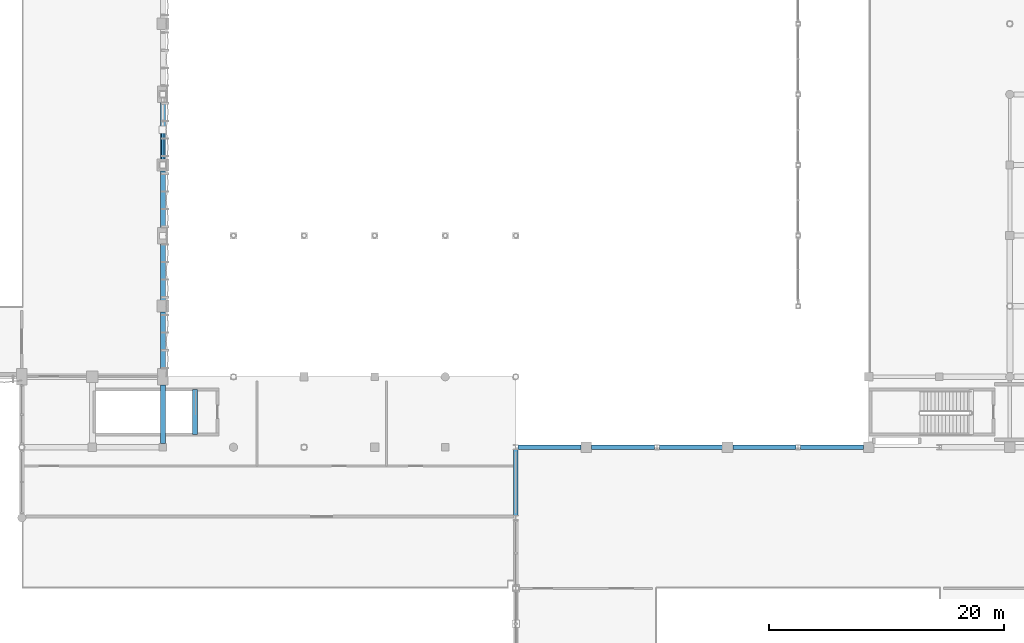
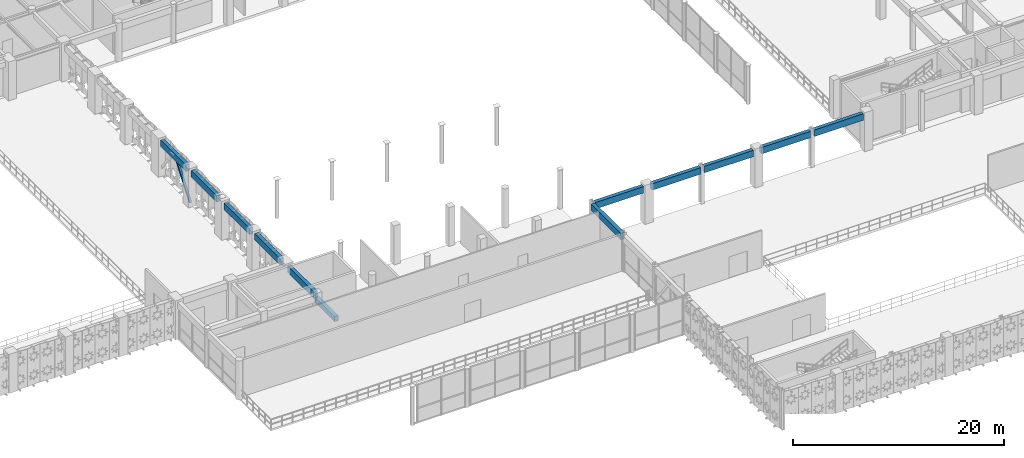
# One storey, part 22 of 116: 12 beams, 1 member.
"""IFC4 building model written with IfcOpenShell, lengths in metres."""

import ifcopenshell
import ifcopenshell.guid

model = None  # the IFC model being written
_history = None  # IfcOwnerHistory: only IFC2X3 demands one
_inside = {}  # id of a spatial element -> (the spatial element, [elements in it])
_under = {}  # id of a project, library or spatial element -> (it, [spatial elements below it])
_declared = {}  # id of a project -> (the project, [libraries it declares])
_typed = {}  # id of a type object -> (the type object, [elements of that type])
_made_of = {}  # id of a material, layer set ... -> (it, [elements and type objects made of it])


def new_model(schema):
    """Start an empty IFC model of exactly this schema.

    Asked for "IFC4X3", IfcOpenShell would pick the latest addendum, in which some entities
    have other attributes; the version numbers below select the first issue.
    IFC2X3 requires an IfcOwnerHistory on every rooted entity: one is made here for all.
    """
    global model, _history
    if schema == "IFC4X3":
        model = ifcopenshell.file(schema_version=(4, 3, 0, 0))
    else:
        model = ifcopenshell.file(schema=schema)
    _inside.clear()
    _under.clear()
    _declared.clear()
    _typed.clear()
    _made_of.clear()
    _history = None
    if model.schema == "IFC2X3":
        org = make("IfcOrganization", Name="unknown")
        user = make(
            "IfcPersonAndOrganization",
            ThePerson=make("IfcPerson", FamilyName="unknown"),
            TheOrganization=org,
        )
        app = make(
            "IfcApplication",
            ApplicationDeveloper=org,
            Version="unknown",
            ApplicationFullName="unknown",
            ApplicationIdentifier="unknown",
        )
        _history = make(
            "IfcOwnerHistory",
            OwningUser=user,
            OwningApplication=app,
            ChangeAction="ADDED",
            CreationDate=0,
        )
    return model


def make(cls, **values):
    """One entity of the class cls with the attributes given. An attribute that is None is left unset."""
    return model.create_entity(
        cls, **{name: value for name, value in values.items() if value is not None}
    )


def rooted(cls, **values):
    """An entity with a GlobalId (a new one), such as an element, a storey or a relation."""
    return make(cls, GlobalId=ifcopenshell.guid.new(), OwnerHistory=_history, **values)


def si_unit(unit_type, name, prefix=None):
    """IfcSIUnit, for example si_unit("LENGTHUNIT", "METRE", prefix="MILLI")."""
    return make("IfcSIUnit", UnitType=unit_type, Prefix=prefix, Name=name)


def assignment(units):
    """IfcUnitAssignment: the units of a project."""
    return None if units is None else make("IfcUnitAssignment", Units=units)


def point(xyz):
    """IfcCartesianPoint."""
    return None if xyz is None else make("IfcCartesianPoint", Coordinates=xyz)


def direction(xyz):
    """IfcDirection."""
    return None if xyz is None else make("IfcDirection", DirectionRatios=xyz)


def frame(location, z_axis=None, x_axis=None):
    """IfcAxis2Placement3D, a coordinate frame: its origin and axes. An axis left out is left unset."""
    return make(
        "IfcAxis2Placement3D",
        Location=point(location),
        Axis=direction(z_axis),
        RefDirection=direction(x_axis),
    )


def frame_2d(location, x_axis=None):
    """IfcAxis2Placement2D, a coordinate frame in the plane: its origin and x axis."""
    return make(
        "IfcAxis2Placement2D", Location=point(location), RefDirection=direction(x_axis)
    )


def origin():
    """The frame at (0, 0, 0) with its axes left unset."""
    return frame((0.0, 0.0, 0.0))


def origin_2d():
    """The frame at (0, 0) in the plane with its x axis left unset."""
    return frame_2d((0.0, 0.0))


def place(relative_to, where):
    """IfcLocalPlacement: puts the frame where relative to a parent placement (None: the world)."""
    return make(
        "IfcLocalPlacement", PlacementRelTo=relative_to, RelativePlacement=where
    )


def context(
    kind, dimensions, precision=None, world=None, true_north=None, identifier=None
):
    """IfcGeometricRepresentationContext, for example the 3D "Model" context."""
    return make(
        "IfcGeometricRepresentationContext",
        ContextIdentifier=identifier,
        ContextType=kind,
        CoordinateSpaceDimension=dimensions,
        Precision=precision,
        WorldCoordinateSystem=world,
        TrueNorth=true_north,
    )


def subcontext(parent, identifier, kind, view, scale=None):
    """IfcGeometricRepresentationSubContext, for example "Body" below "Model"."""
    return make(
        "IfcGeometricRepresentationSubContext",
        ContextIdentifier=identifier,
        ContextType=kind,
        ParentContext=parent,
        TargetScale=scale,
        TargetView=view,
    )


def project(units=None, contexts=None):
    """IfcProject with its units and contexts."""
    return rooted(
        "IfcProject",
        Name="project",
        RepresentationContexts=contexts,
        UnitsInContext=assignment(units),
    )


def spatial(cls, under=None, at=None, **own):
    """A site, building, storey or space (cls), placed at a placement, below another one or the project."""
    s = rooted(cls, ObjectPlacement=at, **own)
    if under is not None:
        _under.setdefault(under.id(), (under, []))[1].append(s)
    return s


def profile(cls, at=None, kind="AREA", **sizes):
    """A parametric profile (cls). Its sizes go by their IFC names, for example OverallWidth=200.0."""
    return make(cls, ProfileType=kind, Position=at, **sizes)


def rectangle(**sizes):
    """IfcRectangleProfileDef."""
    return profile("IfcRectangleProfileDef", **sizes)


def hollow_rectangle(**sizes):
    """IfcRectangleHollowProfileDef."""
    return profile("IfcRectangleHollowProfileDef", **sizes)


def extrude(swept, where, along, depth):
    """IfcExtrudedAreaSolid: the profile swept, set in the frame where, extruded along a direction by depth."""
    return make(
        "IfcExtrudedAreaSolid",
        SweptArea=swept,
        Position=where,
        ExtrudedDirection=direction(along),
        Depth=depth,
    )


def shape(context_of_items, identifier, shape_type, items):
    """IfcShapeRepresentation: the items that make up one representation, for example the "Body"."""
    return make(
        "IfcShapeRepresentation",
        ContextOfItems=context_of_items,
        RepresentationIdentifier=identifier,
        RepresentationType=shape_type,
        Items=items,
    )


def material(Name=None, Category=None):
    """IfcMaterial."""
    return make("IfcMaterial", Name=Name, Category=Category)


def material_profile(
    of_material, cross_section, Name=None, Category=None, Priority=None
):
    """IfcMaterialProfile: a cross section and its material."""
    return make(
        "IfcMaterialProfile",
        Name=Name,
        Material=of_material,
        Profile=cross_section,
        Priority=Priority,
        Category=Category,
    )


def profile_set(profiles, Name=None, composite=None):
    """IfcMaterialProfileSet."""
    return make(
        "IfcMaterialProfileSet",
        Name=Name,
        MaterialProfiles=profiles,
        CompositeProfile=composite,
    )


def made_of(thing, what):
    """Note that an element or type object is made of a material, layer set ...; save() writes the relation."""
    if what is not None:
        _made_of.setdefault(what.id(), (what, []))[1].append(thing)
    return thing


def type_object(cls, material=None, **own):
    """A type object (cls), such as IfcWallType, which elements share."""
    return made_of(rooted(cls, **own), material)


def element(
    cls,
    number,
    at=None,
    inside=None,
    cuts=None,
    type_object=None,
    material=None,
    context=None,
    identifier="Body",
    shape_type=None,
    held_by="IfcProductDefinitionShape",
    body=None,
    shapes=None,
    **own,
):
    """One element of the class cls, such as IfcWall. Its Tag is "e" and its number.

    at: its placement. inside: the storey or other place that contains it. cuts: it is an
    opening in that element (IfcRelVoidsElement). A single representation is given by context,
    identifier, shape_type and body (its items); several are given by shapes. held_by: the class
    of the entity that holds the representations. save() writes the other relations.
    """
    e = rooted(cls, Tag="e%d" % number, ObjectPlacement=at, **own)
    if body is not None:
        shapes = [shape(context, identifier, shape_type, body)]
    if shapes is not None:
        e.Representation = make(held_by, Representations=shapes)
    if inside is not None:
        _inside.setdefault(inside.id(), (inside, []))[1].append(e)
    if cuts is not None:
        rooted(
            "IfcRelVoidsElement", RelatingBuildingElement=cuts, RelatedOpeningElement=e
        )
    if type_object is not None:
        _typed.setdefault(type_object.id(), (type_object, []))[1].append(e)
    return made_of(e, material)


def aggregate(whole, parts):
    """IfcRelAggregates: a whole, such as a stair, and the parts it consists of."""
    return rooted("IfcRelAggregates", RelatingObject=whole, RelatedObjects=parts)


def save(model, path):
    """Write the relations noted so far, then the file.

    IfcRelAggregates (storeys below a building ...), IfcRelContainedInSpatialStructure (elements
    in a storey), IfcRelDefinesByType, IfcRelAssociatesMaterial and IfcRelDeclares: one each for
    every whole, place, type object, material and project.
    """
    for whole, parts in _under.values():
        aggregate(whole, parts)
    for where, things in _inside.values():
        rooted(
            "IfcRelContainedInSpatialStructure",
            RelatedElements=things,
            RelatingStructure=where,
        )
    for kind, things in _typed.values():
        rooted("IfcRelDefinesByType", RelatedObjects=things, RelatingType=kind)
    for what, things in _made_of.values():
        rooted("IfcRelAssociatesMaterial", RelatedObjects=things, RelatingMaterial=what)
    for by, libraries in _declared.values():
        rooted("IfcRelDeclares", RelatingContext=by, RelatedDefinitions=libraries)
    model.write(path)


model = new_model("IFC4")

# Units and contexts
model_context = context("Model", 3, precision=1e-05, world=origin(), true_north=direction((0.0, 1.0)))
body_context = subcontext(model_context, "Body", "Model", "MODEL_VIEW")
ifc_project = project(units=[si_unit("LENGTHUNIT", "METRE"), si_unit("AREAUNIT", "SQUARE_METRE"), si_unit("VOLUMEUNIT", "CUBIC_METRE"), si_unit("PLANEANGLEUNIT", "RADIAN"), si_unit("MASSUNIT", "GRAM", prefix="KILO"), si_unit("THERMODYNAMICTEMPERATUREUNIT", "KELVIN"), si_unit("POWERUNIT", "WATT")], contexts=[model_context])

# Site, building, storey
site_placement = place(None, origin())
site = spatial("IfcSite", under=ifc_project, at=site_placement, CompositionType="ELEMENT")
building_placement = place(site_placement, origin())
building = spatial("IfcBuilding", under=site, at=building_placement, Name="Phaisarnlok Congress Hotel", CompositionType="ELEMENT")
storey_placement = place(building_placement, frame((0.0, 0.0, 10.5)))
storey = spatial("IfcBuildingStorey", under=building, at=storey_placement, Name="L02", CompositionType="ELEMENT", Elevation=10.5)

# Beam
ifc_material_1 = material(Name="Concrete C40/50", Category="concrete")
ifc_material_profile_1 = material_profile(ifc_material_1, rectangle(XDim=0.39990234375, YDim=0.60009765625, at=origin_2d()), Name="RC 400x600")
ifc_profile_set_1 = profile_set([ifc_material_profile_1], Name="Concrete C40/50")
beam_type_1 = type_object("IfcBeamType", Name="BM-RC-400x600", PredefinedType="BEAM", material=ifc_profile_set_1)
beam_1_placement = place(storey_placement, frame((68.719970703125, 37.080078125, -0.300048828125), z_axis=(0.0, 1.0, 0.0), x_axis=(-1.0, 0.0, 0.0)))
element("IfcBeam", 1, at=beam_1_placement, inside=storey, type_object=beam_type_1, Name="Stair landing header beam B-02 (STAIR-POD-S L02)", PredefinedType="BEAM", context=body_context, shape_type="SweptSolid", body=[
    extrude(rectangle(XDim=0.39990234375, YDim=0.60009765625, at=origin_2d()), origin(), (0.0, 0.0, 1.0), 3.83984375),
])

# Member
ifc_material_2 = material(Name="Steel S355", Category="steel")
ifc_material_profile_2 = material_profile(ifc_material_2, hollow_rectangle(XDim=0.219970703125, YDim=0.219970703125, WallThickness=0.012451171875, at=origin_2d()), Name="SHS 220x220x12.5")
ifc_profile_set_2 = profile_set([ifc_material_profile_2], Name="Steel S355")
member_type = type_object("IfcMemberType", Name="MEM-BRC-SHS220", PredefinedType="BRACE", material=ifc_profile_set_2)
member_placement = place(storey_placement, frame((66.0, 60.0, 0.14990234375), z_axis=(0.0, 0.602869179166, 0.797840054655), x_axis=(-1.0, 0.0, 0.0)))
element("IfcMember", 2, at=member_placement, inside=storey, type_object=member_type, Name="Lateral braced frame diagonal", PredefinedType="BRACE", context=body_context, shape_type="SweptSolid", body=[
    extrude(hollow_rectangle(XDim=0.219970703125, YDim=0.219970703125, WallThickness=0.012451171875, at=origin_2d()), origin(), (0.0, 0.0, 1.0), 4.976318359375),
])

# Beams
ifc_material_profile_3 = material_profile(ifc_material_1, rectangle(XDim=0.39990234375, YDim=0.75, at=origin_2d()), Name="RC 400x750")
ifc_profile_set_3 = profile_set([ifc_material_profile_3], Name="Concrete C40/50")
beam_type_2 = type_object("IfcBeamType", Name="SP-RC-400x750", PredefinedType="SPANDREL", material=ifc_profile_set_3)
beam_2_placement = place(storey_placement, frame((66.0, 36.320068359375, 3.885009765625), z_axis=(0.0, 1.0, 0.0), x_axis=(-1.0, 0.0, 0.0)))
element("IfcBeam", 3, at=beam_2_placement, inside=storey, type_object=beam_type_2, Name="Beam SP-02", PredefinedType="SPANDREL", context=body_context, shape_type="SweptSolid", body=[
    extrude(rectangle(XDim=0.39990234375, YDim=0.75, at=origin_2d()), origin(), (0.0, 0.0, 1.0), 4.98486328125),
])
for number, where, z_axis, x_axis, name in (
    (4, (66.0, 42.695068359375, 3.864990234375), (0.0, 1.0, 0.0), (-1.0, 0.0, 0.0), "Beam SP-02"),
    (5, (66.0, 48.4951171875, 3.864990234375), (0.0, 1.0, 0.0), (-1.0, 0.0, 0.0), "Beam SP-02"),
    (6, (66.0, 54.695068359375, 3.864990234375), (0.0, 1.0, 0.0), (-1.0, 0.0, 0.0), "Beam SP-02"),
    (7, (66.0, 60.4951171875, 3.864990234375), (0.0, 1.0, 0.0), (-1.0, 0.0, 0.0), "Beam SP-02"),
):
    element("IfcBeam", number, at=place(storey_placement, frame(where, z_axis=z_axis, x_axis=x_axis)), inside=storey, type_object=beam_type_2, Name=name, PredefinedType="SPANDREL", context=body_context, shape_type="SweptSolid", body=[
        extrude(rectangle(XDim=0.39990234375, YDim=0.75, at=origin_2d()), origin(), (0.0, 0.0, 1.0), 4.809814453125),
    ])
beam_3_placement = place(storey_placement, frame((96.0, 30.202880859375, 3.864990234375), z_axis=(0.0, 1.0, 0.0), x_axis=(-1.0, 0.0, 0.0)))
element("IfcBeam", 8, at=beam_3_placement, inside=storey, type_object=beam_type_2, Name="Beam SP-02", PredefinedType="SPANDREL", context=body_context, shape_type="SweptSolid", body=[
    extrude(rectangle(XDim=0.39990234375, YDim=0.75, at=origin_2d()), origin(), (0.0, 0.0, 1.0), 5.59423828125),
])
for number, where, z_axis, x_axis, name in (
    (9, (96.197998046875, 36.0, 3.864990234375), (1.0, 0.0, 0.0), (0.0, 1.0, 0.0), "Beam SP-02"),
    (10, (102.445068359375, 36.0, 3.864990234375), (1.0, 0.0, 0.0), (0.0, 1.0, 0.0), "Beam SP-02"),
    (11, (108.197998046875, 36.0, 3.864990234375), (1.0, 0.0, 0.0), (0.0, 1.0, 0.0), "Beam SP-02"),
    (12, (114.445068359375, 36.0, 3.864990234375), (1.0, 0.0, 0.0), (0.0, 1.0, 0.0), "Beam SP-02"),
    (13, (120.197998046875, 36.0, 3.864990234375), (1.0, 0.0, 0.0), (0.0, 1.0, 0.0), "Beam SP-02"),
):
    element("IfcBeam", number, at=place(storey_placement, frame(where, z_axis=z_axis, x_axis=x_axis)), inside=storey, type_object=beam_type_2, Name=name, PredefinedType="SPANDREL", context=body_context, shape_type="SweptSolid", body=[
        extrude(rectangle(XDim=0.39990234375, YDim=0.75, at=origin_2d()), origin(), (0.0, 0.0, 1.0), 5.35693359375),
    ])

save(model, "model.ifc")
